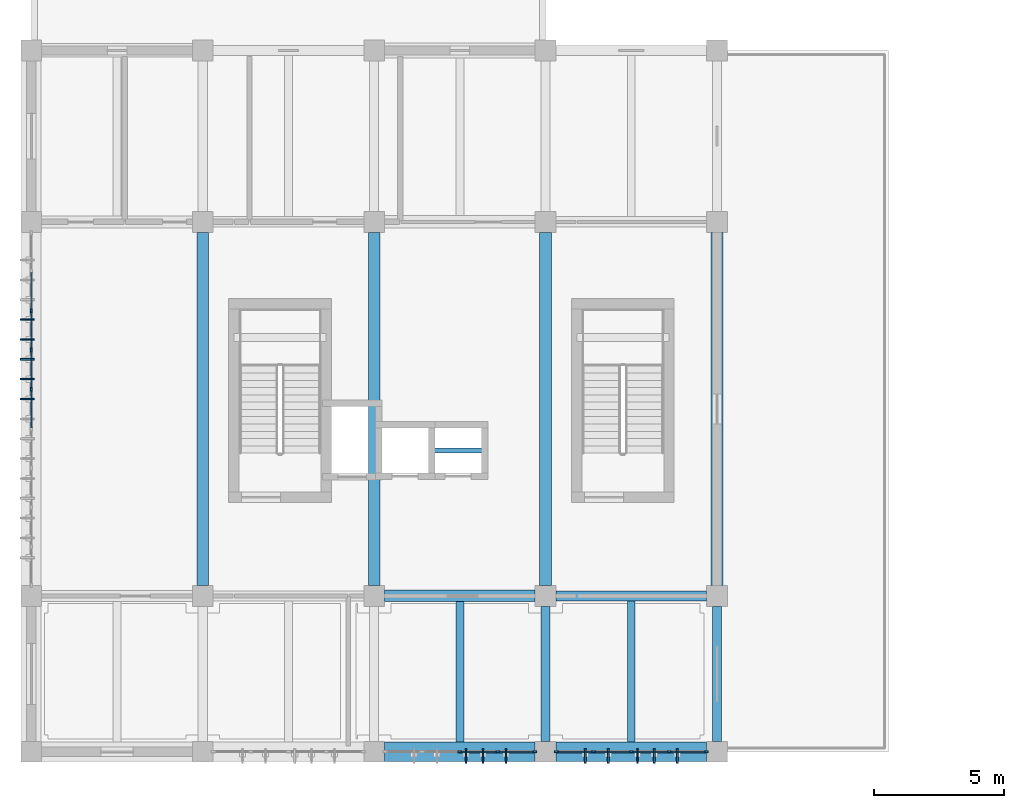
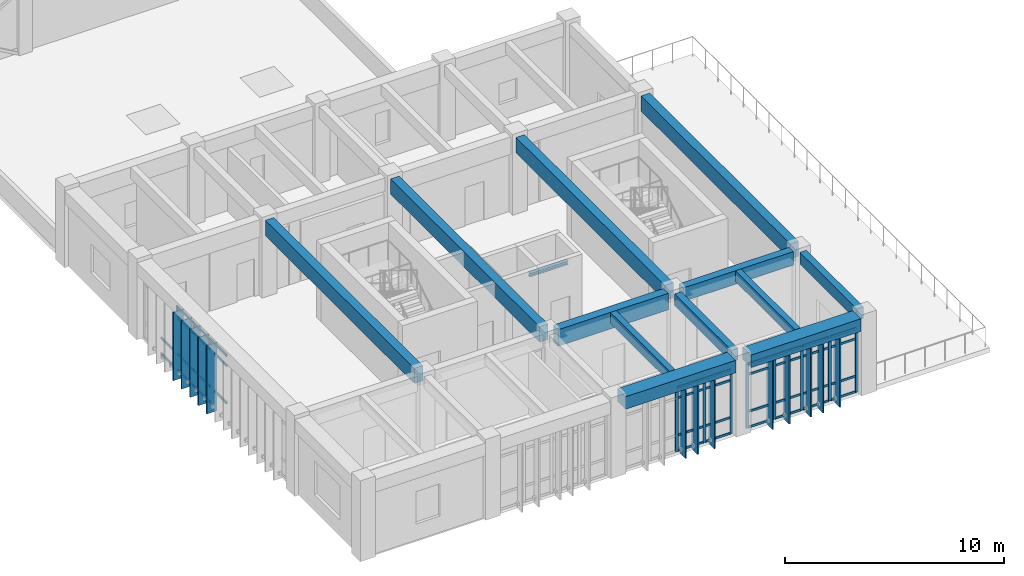
# One storey, part 3 of 18: 61 members, 13 beams, 3 elements without a shape of their own.
"""IFC4 building model written with IfcOpenShell, lengths in metres."""

from ifc_helpers import new_model, si_unit, direction, frame, origin, origin_2d, place, context, subcontext, project, spatial, rectangle, i_section, extrude, material, layer, layer_set, material_profile, profile_set, type_object, element, aggregate, save


model = new_model("IFC4")

# Units and contexts
model_context = context("Model", 3, precision=1e-05, world=origin(), true_north=direction((0.0, 1.0)))
body_context = subcontext(model_context, "Body", "Model", "MODEL_VIEW")
ifc_project = project(units=[si_unit("LENGTHUNIT", "METRE"), si_unit("AREAUNIT", "SQUARE_METRE"), si_unit("VOLUMEUNIT", "CUBIC_METRE"), si_unit("PLANEANGLEUNIT", "RADIAN"), si_unit("MASSUNIT", "GRAM", prefix="KILO")], contexts=[model_context])

# Site, building, storey
site_placement = place(None, origin())
site = spatial("IfcSite", under=ifc_project, at=site_placement, CompositionType="ELEMENT")
building_placement = place(site_placement, origin())
building = spatial("IfcBuilding", under=site, at=building_placement, Name="Miralva Faculty of Natural Sciences", CompositionType="ELEMENT")
storey_placement = place(building_placement, frame((0.0, 0.0, 28.5)))
storey = spatial("IfcBuildingStorey", under=building, at=storey_placement, Name="L06", CompositionType="ELEMENT", Elevation=28.5)

# Beams
ifc_material_1 = material(Name="Concrete C40/50", Category="concrete")
ifc_material_profile_1 = material_profile(ifc_material_1, rectangle(XDim=0.449951171875, YDim=0.85009765625, at=origin_2d()), Name="RC 450x850")
ifc_profile_set_1 = profile_set([ifc_material_profile_1], Name="Concrete C40/50")
beam_type_1 = type_object("IfcBeamType", Name="BM-B01", PredefinedType="BEAM", material=ifc_profile_set_1)
for number, where, z_axis, x_axis, name in (
    (1, (9.60009765625, 9.39990234375, 3.85498046875), (0.0, 1.0, 0.0), (-1.0, 0.0, 0.0), "Girder NS L06-32"),
    (2, (16.199951171875, 9.39990234375, 3.85498046875), (0.0, 1.0, 0.0), (-1.0, 0.0, 0.0), "Girder NS L06-38"),
    (3, (22.800048828125, 9.39990234375, 3.85498046875), (0.0, 1.0, 0.0), (-1.0, 0.0, 0.0), "Girder NS L06-41"),
    (4, (29.39990234375, 9.39990234375, 3.85498046875), (0.0, 1.0, 0.0), (-1.0, 0.0, 0.0), "Girder NS L06-47"),
):
    element("IfcBeam", number, at=place(storey_placement, frame(where, z_axis=z_axis, x_axis=x_axis)), inside=storey, type_object=beam_type_1, Name=name, PredefinedType="BEAM", context=body_context, shape_type="SweptSolid", body=[
        extrude(rectangle(XDim=0.449951171875, YDim=0.85009765625, at=origin_2d()), origin(), (0.0, 0.0, 1.0), 13.60009765625),
    ])
ifc_material_profile_2 = material_profile(ifc_material_1, rectangle(XDim=0.39990234375, YDim=0.75, at=origin_2d()), Name="RC 400x750")
ifc_profile_set_2 = profile_set([ifc_material_profile_2], Name="Concrete C40/50")
beam_type_2 = type_object("IfcBeamType", Name="BM-B03", PredefinedType="BEAM", material=ifc_profile_set_2)
beam_1_placement = place(storey_placement, frame((23.199951171875, 9.0, 3.905029296875), z_axis=(1.0, 0.0, 0.0), x_axis=(0.0, 1.0, 0.0)))
element("IfcBeam", 5, at=beam_1_placement, inside=storey, type_object=beam_type_2, Name="Girder EW L06-8", PredefinedType="BEAM", context=body_context, shape_type="SweptSolid", body=[
    extrude(rectangle(XDim=0.39990234375, YDim=0.75, at=origin_2d()), origin(), (0.0, 0.0, 1.0), 5.800048828125),
])
ifc_material_profile_3 = material_profile(ifc_material_1, rectangle(XDim=0.35009765625, YDim=0.64990234375, at=origin_2d()), Name="RC 350x650")
ifc_profile_set_3 = profile_set([ifc_material_profile_3], Name="Concrete C40/50")
beam_type_3 = type_object("IfcBeamType", Name="BM-B05", PredefinedType="BEAM", material=ifc_profile_set_3)
for number, where, z_axis, x_axis, name in (
    (6, (22.800048828125, 3.39990234375, 3.955078125), (0.0, 1.0, 0.0), (-1.0, 0.0, 0.0), "Girder NS L06-40"),
    (7, (29.39990234375, 3.39990234375, 3.955078125), (0.0, 1.0, 0.0), (-1.0, 0.0, 0.0), "Girder NS L06-46"),
):
    element("IfcBeam", number, at=place(storey_placement, frame(where, z_axis=z_axis, x_axis=x_axis)), inside=storey, type_object=beam_type_3, Name=name, PredefinedType="BEAM", context=body_context, shape_type="SweptSolid", body=[
        extrude(rectangle(XDim=0.35009765625, YDim=0.64990234375, at=origin_2d()), origin(), (0.0, 0.0, 1.0), 5.2001953125),
    ])
ifc_material_profile_4 = material_profile(ifc_material_1, rectangle(XDim=0.43994140625, YDim=0.919921875, at=origin_2d()), Name="RC 440x920")
ifc_profile_set_4 = profile_set([ifc_material_profile_4], Name="Concrete C40/50")
beam_type_4 = type_object("IfcBeamType", Name="BM-BG14", PredefinedType="BEAM", material=ifc_profile_set_4)
beam_2_placement = place(storey_placement, frame((16.60009765625, 9.0, 3.820068359375), z_axis=(1.0, 0.0, 0.0), x_axis=(0.0, 1.0, 0.0)))
element("IfcBeam", 8, at=beam_2_placement, inside=storey, type_object=beam_type_4, Name="Girder EW L06-7", PredefinedType="BEAM", context=body_context, shape_type="SweptSolid", body=[
    extrude(rectangle(XDim=0.43994140625, YDim=0.919921875, at=origin_2d()), origin(), (0.0, 0.0, 1.0), 5.7998046875),
])
ifc_material_profile_5 = material_profile(ifc_material_1, rectangle(XDim=0.300048828125, YDim=0.60009765625, at=origin_2d()), Name="RC 300x600")
ifc_profile_set_5 = profile_set([ifc_material_profile_5], Name="Concrete C40/50")
beam_type_5 = type_object("IfcBeamType", Name="BM-J01", PredefinedType="JOIST", material=ifc_profile_set_5)
beam_3_placement = place(storey_placement, frame((19.5, 3.375, 3.97998046875), z_axis=(0.0, 1.0, 0.0), x_axis=(-1.0, 0.0, 0.0)))
element("IfcBeam", 9, at=beam_3_placement, inside=storey, type_object=beam_type_5, Name="Floor joist L06-3", PredefinedType="JOIST", context=body_context, shape_type="SweptSolid", body=[
    extrude(rectangle(XDim=0.300048828125, YDim=0.60009765625, at=origin_2d()), origin(), (0.0, 0.0, 1.0), 5.405029296875),
])
beam_4_placement = place(storey_placement, frame((26.10009765625, 3.375, 3.97998046875), z_axis=(0.0, 1.0, 0.0), x_axis=(-1.0, 0.0, 0.0)))
element("IfcBeam", 10, at=beam_4_placement, inside=storey, type_object=beam_type_5, Name="Floor joist L06-4", PredefinedType="JOIST", context=body_context, shape_type="SweptSolid", body=[
    extrude(rectangle(XDim=0.300048828125, YDim=0.60009765625, at=origin_2d()), origin(), (0.0, 0.0, 1.0), 5.425048828125),
])
ifc_material_2 = material(Name="Steel S355", Category="steel")
ifc_material_profile_6 = material_profile(ifc_material_2, i_section(OverallWidth=0.202880859375, OverallDepth=0.202880859375, WebThickness=0.007080078125, FlangeThickness=0.010986328125, FilletRadius=0.010009765625, at=origin_2d()), Name="W200x46")
ifc_profile_set_6 = profile_set([ifc_material_profile_6], Name="Steel S355")
beam_type_6 = type_object("IfcBeamType", Name="BM-SB04", PredefinedType="BEAM", material=ifc_profile_set_6)
beam_5_placement = place(storey_placement, frame((18.409912109375, 14.60009765625, 3.199951171875), z_axis=(1.0, 0.0, 0.0), x_axis=(0.0, 1.0, 0.0)))
element("IfcBeam", 11, at=beam_5_placement, inside=storey, type_object=beam_type_6, Name="Lift L-03 hoistway separator steel beam", PredefinedType="BEAM", context=body_context, shape_type="SweptSolid", body=[
    extrude(i_section(OverallWidth=0.202880859375, OverallDepth=0.202880859375, WebThickness=0.007080078125, FlangeThickness=0.010986328125, FilletRadius=0.010009765625, at=origin_2d()), origin(), (0.0, 0.0, 1.0), 2.0400390625),
])
ifc_material_profile_7 = material_profile(ifc_material_1, rectangle(XDim=0.75, YDim=0.699951171875, at=origin_2d()), Name="RC 750x700")
ifc_profile_set_7 = profile_set([ifc_material_profile_7], Name="Concrete C40/50")
beam_type_7 = type_object("IfcBeamType", Name="BM-SP01", PredefinedType="SPANDREL", material=ifc_profile_set_7)
beam_6_placement = place(storey_placement, frame((16.60009765625, 3.0, 3.929931640625), z_axis=(1.0, 0.0, 0.0), x_axis=(0.0, 1.0, 0.0)))
element("IfcBeam", 12, at=beam_6_placement, inside=storey, type_object=beam_type_7, Name="Girder EW L06-3", PredefinedType="SPANDREL", context=body_context, shape_type="SweptSolid", body=[
    extrude(rectangle(XDim=0.75, YDim=0.699951171875, at=origin_2d()), origin(), (0.0, 0.0, 1.0), 5.7998046875),
])
beam_7_placement = place(storey_placement, frame((23.199951171875, 3.0, 3.929931640625), z_axis=(1.0, 0.0, 0.0), x_axis=(0.0, 1.0, 0.0)))
element("IfcBeam", 13, at=beam_7_placement, inside=storey, type_object=beam_type_7, Name="Girder EW L06-4", PredefinedType="SPANDREL", context=body_context, shape_type="SweptSolid", body=[
    extrude(rectangle(XDim=0.75, YDim=0.699951171875, at=origin_2d()), origin(), (0.0, 0.0, 1.0), 5.800048828125),
])

# Curtain wall, members
ifc_material_3 = material(Name="Laminated solar-control glass", Category="glass")
ifc_layer = layer(ifc_material_3, 0.179931640625, Name="CW-TWR-L03")
ifc_layer_set = layer_set([ifc_layer], Name="Laminated solar-control glass")
curtain_wall_type = type_object("IfcCurtainWallType", Name="CW-TWR-L03", PredefinedType="USERDEFINED", material=ifc_layer_set)
curtain_wall_1_placement = place(storey_placement, origin())
curtain_wall_1 = element("IfcCurtainWall", 14, at=curtain_wall_1_placement, inside=storey, type_object=curtain_wall_type, Name="Curtain wall CW-14 L06-240", ObjectType="UNITISED CURTAIN WALL", PredefinedType="USERDEFINED")
ifc_material_4 = material(Name="Anodised aluminium", Category="aluminium")
ifc_material_profile_8 = material_profile(ifc_material_4, rectangle(XDim=0.06494140625, YDim=0.159912109375, at=origin_2d()), Name="MULLION 65x160")
ifc_profile_set_8 = profile_set([ifc_material_profile_8], Name="Anodised aluminium")
member_type_1 = type_object("IfcMemberType", Name="CW-M02", PredefinedType="MULLION", material=ifc_profile_set_8)
member_1_placement = place(storey_placement, frame((19.5, 3.0, 0.0), z_axis=(0.0, 0.0, 1.0), x_axis=(0.0, 1.0, 0.0)))
member_1 = element("IfcMember", 15, at=member_1_placement, type_object=member_type_1, Name="CW-14 mullion 3", PredefinedType="MULLION", context=body_context, shape_type="SweptSolid", body=[
    extrude(rectangle(XDim=0.06494140625, YDim=0.159912109375, at=origin_2d()), origin(), (0.0, 0.0, 1.0), 3.574951171875),
])
member_2_placement = place(storey_placement, frame((20.95751953125, 3.0, 0.0), z_axis=(0.0, 0.0, 1.0), x_axis=(0.0, 1.0, 0.0)))
member_2 = element("IfcMember", 16, at=member_2_placement, type_object=member_type_1, Name="CW-14 mullion 4", PredefinedType="MULLION", context=body_context, shape_type="SweptSolid", body=[
    extrude(rectangle(XDim=0.06494140625, YDim=0.159912109375, at=origin_2d()), origin(), (0.0, 0.0, 1.0), 3.574951171875),
])
member_3_placement = place(storey_placement, frame((22.382568359375, 3.0, 0.0), z_axis=(0.0, 0.0, 1.0), x_axis=(0.0, 1.0, 0.0)))
member_3 = element("IfcMember", 17, at=member_3_placement, type_object=member_type_1, Name="CW-14 mullion 5", PredefinedType="MULLION", context=body_context, shape_type="SweptSolid", body=[
    extrude(rectangle(XDim=0.06494140625, YDim=0.159912109375, at=origin_2d()), origin(), (0.0, 0.0, 1.0), 3.574951171875),
])

curtain_wall_2_placement = place(storey_placement, origin())
curtain_wall_2 = element("IfcCurtainWall", 18, at=curtain_wall_2_placement, inside=storey, type_object=curtain_wall_type, Name="Curtain wall CW-14 L06-241", ObjectType="UNITISED CURTAIN WALL", PredefinedType="USERDEFINED")
member_4_placement = place(storey_placement, frame((23.217529296875, 3.0, 0.0), z_axis=(0.0, 0.0, 1.0), x_axis=(0.0, 1.0, 0.0)))
member_4 = element("IfcMember", 19, at=member_4_placement, type_object=member_type_1, Name="CW-14 mullion 1", PredefinedType="MULLION", context=body_context, shape_type="SweptSolid", body=[
    extrude(rectangle(XDim=0.06494140625, YDim=0.159912109375, at=origin_2d()), origin(), (0.0, 0.0, 1.0), 3.574951171875),
])
member_5_placement = place(storey_placement, frame((24.642578125, 3.0, 0.0), z_axis=(0.0, 0.0, 1.0), x_axis=(0.0, 1.0, 0.0)))
member_5 = element("IfcMember", 20, at=member_5_placement, type_object=member_type_1, Name="CW-14 mullion 2", PredefinedType="MULLION", context=body_context, shape_type="SweptSolid", body=[
    extrude(rectangle(XDim=0.06494140625, YDim=0.159912109375, at=origin_2d()), origin(), (0.0, 0.0, 1.0), 3.574951171875),
])
member_6_placement = place(storey_placement, frame((26.10009765625, 3.0, 0.0), z_axis=(0.0, 0.0, 1.0), x_axis=(0.0, 1.0, 0.0)))
member_6 = element("IfcMember", 21, at=member_6_placement, type_object=member_type_1, Name="CW-14 mullion 3", PredefinedType="MULLION", context=body_context, shape_type="SweptSolid", body=[
    extrude(rectangle(XDim=0.06494140625, YDim=0.159912109375, at=origin_2d()), origin(), (0.0, 0.0, 1.0), 3.574951171875),
])
member_7_placement = place(storey_placement, frame((27.5576171875, 3.0, 0.0), z_axis=(0.0, 0.0, 1.0), x_axis=(0.0, 1.0, 0.0)))
member_7 = element("IfcMember", 22, at=member_7_placement, type_object=member_type_1, Name="CW-14 mullion 4", PredefinedType="MULLION", context=body_context, shape_type="SweptSolid", body=[
    extrude(rectangle(XDim=0.06494140625, YDim=0.159912109375, at=origin_2d()), origin(), (0.0, 0.0, 1.0), 3.574951171875),
])
member_8_placement = place(storey_placement, frame((28.982421875, 3.0, 0.0), z_axis=(0.0, 0.0, 1.0), x_axis=(0.0, 1.0, 0.0)))
member_8 = element("IfcMember", 23, at=member_8_placement, type_object=member_type_1, Name="CW-14 mullion 5", PredefinedType="MULLION", context=body_context, shape_type="SweptSolid", body=[
    extrude(rectangle(XDim=0.06494140625, YDim=0.159912109375, at=origin_2d()), origin(), (0.0, 0.0, 1.0), 3.574951171875),
])

curtain_wall_3_placement = place(storey_placement, origin())
curtain_wall_3 = element("IfcCurtainWall", 24, at=curtain_wall_3_placement, inside=storey, type_object=curtain_wall_type, Name="Curtain wall CW-14 L06-242", ObjectType="UNITISED CURTAIN WALL", PredefinedType="USERDEFINED")
member_9_placement = place(storey_placement, frame((3.0, 16.957275390625, 0.0), z_axis=(0.0, 0.0, 1.0), x_axis=(-1.0, 0.0, 0.0)))
member_9 = element("IfcMember", 25, at=member_9_placement, type_object=member_type_1, Name="CW-14 mullion 6", PredefinedType="MULLION", context=body_context, shape_type="SweptSolid", body=[
    extrude(rectangle(XDim=0.06494140625, YDim=0.159912109375, at=origin_2d()), origin(), (0.0, 0.0, 1.0), 3.574951171875),
])
member_10_placement = place(storey_placement, frame((3.0, 18.4716796875, 0.0), z_axis=(0.0, 0.0, 1.0), x_axis=(-1.0, 0.0, 0.0)))
member_10 = element("IfcMember", 26, at=member_10_placement, type_object=member_type_1, Name="CW-14 mullion 7", PredefinedType="MULLION", context=body_context, shape_type="SweptSolid", body=[
    extrude(rectangle(XDim=0.06494140625, YDim=0.159912109375, at=origin_2d()), origin(), (0.0, 0.0, 1.0), 3.574951171875),
])
member_11_placement = place(storey_placement, frame((3.0, 19.986083984375, 0.0), z_axis=(0.0, 0.0, 1.0), x_axis=(-1.0, 0.0, 0.0)))
member_11 = element("IfcMember", 27, at=member_11_placement, type_object=member_type_1, Name="CW-14 mullion 8", PredefinedType="MULLION", context=body_context, shape_type="SweptSolid", body=[
    extrude(rectangle(XDim=0.06494140625, YDim=0.159912109375, at=origin_2d()), origin(), (0.0, 0.0, 1.0), 3.574951171875),
])

# Member
ifc_material_profile_9 = material_profile(ifc_material_4, rectangle(XDim=0.06005859375, YDim=0.1201171875, at=origin_2d()), Name="TRANSOM 60x120")
ifc_profile_set_9 = profile_set([ifc_material_profile_9], Name="Anodised aluminium")
member_type_2 = type_object("IfcMemberType", Name="CW-T02", PredefinedType="USERDEFINED", material=ifc_profile_set_9)
member_12_placement = place(storey_placement, frame((19.532470703125, 3.0, 0.030029296875), z_axis=(1.0, 0.0, 0.0), x_axis=(0.0, 1.0, 0.0)))
member_12 = element("IfcMember", 28, at=member_12_placement, type_object=member_type_2, Name="CW-14 transom 3.1", ObjectType="TRANSOM", PredefinedType="USERDEFINED", context=body_context, shape_type="SweptSolid", body=[
    extrude(rectangle(XDim=0.06005859375, YDim=0.1201171875, at=origin_2d()), origin(), (0.0, 0.0, 1.0), 1.392578125),
])

member_13_placement = place(storey_placement, frame((19.532470703125, 3.0, 0.89990234375), z_axis=(1.0, 0.0, 0.0), x_axis=(0.0, 1.0, 0.0)))
member_13 = element("IfcMember", 29, at=member_13_placement, type_object=member_type_2, Name="CW-14 transom 3.2", ObjectType="TRANSOM", PredefinedType="USERDEFINED", context=body_context, shape_type="SweptSolid", body=[
    extrude(rectangle(XDim=0.06005859375, YDim=0.1201171875, at=origin_2d()), origin(), (0.0, 0.0, 1.0), 1.392578125),
])

member_14_placement = place(storey_placement, frame((19.532470703125, 3.0, 2.97509765625), z_axis=(1.0, 0.0, 0.0), x_axis=(0.0, 1.0, 0.0)))
member_14 = element("IfcMember", 30, at=member_14_placement, type_object=member_type_2, Name="CW-14 transom 3.3", ObjectType="TRANSOM", PredefinedType="USERDEFINED", context=body_context, shape_type="SweptSolid", body=[
    extrude(rectangle(XDim=0.06005859375, YDim=0.1201171875, at=origin_2d()), origin(), (0.0, 0.0, 1.0), 1.392578125),
])

member_15_placement = place(storey_placement, frame((19.532470703125, 3.0, 3.544921875), z_axis=(1.0, 0.0, 0.0), x_axis=(0.0, 1.0, 0.0)))
member_15 = element("IfcMember", 31, at=member_15_placement, type_object=member_type_2, Name="CW-14 transom 3.4", ObjectType="TRANSOM", PredefinedType="USERDEFINED", context=body_context, shape_type="SweptSolid", body=[
    extrude(rectangle(XDim=0.06005859375, YDim=0.1201171875, at=origin_2d()), origin(), (0.0, 0.0, 1.0), 1.392578125),
])

member_16_placement = place(storey_placement, frame((20.989990234375, 3.0, 0.030029296875), z_axis=(1.0, 0.0, 0.0), x_axis=(0.0, 1.0, 0.0)))
member_16 = element("IfcMember", 32, at=member_16_placement, type_object=member_type_2, Name="CW-14 transom 4.1", ObjectType="TRANSOM", PredefinedType="USERDEFINED", context=body_context, shape_type="SweptSolid", body=[
    extrude(rectangle(XDim=0.06005859375, YDim=0.1201171875, at=origin_2d()), origin(), (0.0, 0.0, 1.0), 1.360107421875),
])

member_17_placement = place(storey_placement, frame((20.989990234375, 3.0, 0.89990234375), z_axis=(1.0, 0.0, 0.0), x_axis=(0.0, 1.0, 0.0)))
member_17 = element("IfcMember", 33, at=member_17_placement, type_object=member_type_2, Name="CW-14 transom 4.2", ObjectType="TRANSOM", PredefinedType="USERDEFINED", context=body_context, shape_type="SweptSolid", body=[
    extrude(rectangle(XDim=0.06005859375, YDim=0.1201171875, at=origin_2d()), origin(), (0.0, 0.0, 1.0), 1.360107421875),
])

member_18_placement = place(storey_placement, frame((20.989990234375, 3.0, 2.97509765625), z_axis=(1.0, 0.0, 0.0), x_axis=(0.0, 1.0, 0.0)))
member_18 = element("IfcMember", 34, at=member_18_placement, type_object=member_type_2, Name="CW-14 transom 4.3", ObjectType="TRANSOM", PredefinedType="USERDEFINED", context=body_context, shape_type="SweptSolid", body=[
    extrude(rectangle(XDim=0.06005859375, YDim=0.1201171875, at=origin_2d()), origin(), (0.0, 0.0, 1.0), 1.360107421875),
])

member_19_placement = place(storey_placement, frame((20.989990234375, 3.0, 3.544921875), z_axis=(1.0, 0.0, 0.0), x_axis=(0.0, 1.0, 0.0)))
member_19 = element("IfcMember", 35, at=member_19_placement, type_object=member_type_2, Name="CW-14 transom 4.4", ObjectType="TRANSOM", PredefinedType="USERDEFINED", context=body_context, shape_type="SweptSolid", body=[
    extrude(rectangle(XDim=0.06005859375, YDim=0.1201171875, at=origin_2d()), origin(), (0.0, 0.0, 1.0), 1.360107421875),
])

aggregate(curtain_wall_1, [member_1, member_2, member_3, member_12, member_13, member_14, member_15, member_16, member_17, member_18, member_19])

member_20_placement = place(storey_placement, frame((23.25, 3.0, 0.030029296875), z_axis=(1.0, 0.0, 0.0), x_axis=(0.0, 1.0, 0.0)))
member_20 = element("IfcMember", 36, at=member_20_placement, type_object=member_type_2, Name="CW-14 transom 1.1", ObjectType="TRANSOM", PredefinedType="USERDEFINED", context=body_context, shape_type="SweptSolid", body=[
    extrude(rectangle(XDim=0.06005859375, YDim=0.1201171875, at=origin_2d()), origin(), (0.0, 0.0, 1.0), 1.360107421875),
])

member_21_placement = place(storey_placement, frame((23.25, 3.0, 0.89990234375), z_axis=(1.0, 0.0, 0.0), x_axis=(0.0, 1.0, 0.0)))
member_21 = element("IfcMember", 37, at=member_21_placement, type_object=member_type_2, Name="CW-14 transom 1.2", ObjectType="TRANSOM", PredefinedType="USERDEFINED", context=body_context, shape_type="SweptSolid", body=[
    extrude(rectangle(XDim=0.06005859375, YDim=0.1201171875, at=origin_2d()), origin(), (0.0, 0.0, 1.0), 1.360107421875),
])

member_22_placement = place(storey_placement, frame((23.25, 3.0, 2.97509765625), z_axis=(1.0, 0.0, 0.0), x_axis=(0.0, 1.0, 0.0)))
member_22 = element("IfcMember", 38, at=member_22_placement, type_object=member_type_2, Name="CW-14 transom 1.3", ObjectType="TRANSOM", PredefinedType="USERDEFINED", context=body_context, shape_type="SweptSolid", body=[
    extrude(rectangle(XDim=0.06005859375, YDim=0.1201171875, at=origin_2d()), origin(), (0.0, 0.0, 1.0), 1.360107421875),
])

member_23_placement = place(storey_placement, frame((23.25, 3.0, 3.544921875), z_axis=(1.0, 0.0, 0.0), x_axis=(0.0, 1.0, 0.0)))
member_23 = element("IfcMember", 39, at=member_23_placement, type_object=member_type_2, Name="CW-14 transom 1.4", ObjectType="TRANSOM", PredefinedType="USERDEFINED", context=body_context, shape_type="SweptSolid", body=[
    extrude(rectangle(XDim=0.06005859375, YDim=0.1201171875, at=origin_2d()), origin(), (0.0, 0.0, 1.0), 1.360107421875),
])

member_24_placement = place(storey_placement, frame((24.675048828125, 3.0, 0.030029296875), z_axis=(1.0, 0.0, 0.0), x_axis=(0.0, 1.0, 0.0)))
member_24 = element("IfcMember", 40, at=member_24_placement, type_object=member_type_2, Name="CW-14 transom 2.1", ObjectType="TRANSOM", PredefinedType="USERDEFINED", context=body_context, shape_type="SweptSolid", body=[
    extrude(rectangle(XDim=0.06005859375, YDim=0.1201171875, at=origin_2d()), origin(), (0.0, 0.0, 1.0), 1.392333984375),
])

member_25_placement = place(storey_placement, frame((24.675048828125, 3.0, 0.89990234375), z_axis=(1.0, 0.0, 0.0), x_axis=(0.0, 1.0, 0.0)))
member_25 = element("IfcMember", 41, at=member_25_placement, type_object=member_type_2, Name="CW-14 transom 2.2", ObjectType="TRANSOM", PredefinedType="USERDEFINED", context=body_context, shape_type="SweptSolid", body=[
    extrude(rectangle(XDim=0.06005859375, YDim=0.1201171875, at=origin_2d()), origin(), (0.0, 0.0, 1.0), 1.392333984375),
])

member_26_placement = place(storey_placement, frame((24.675048828125, 3.0, 2.97509765625), z_axis=(1.0, 0.0, 0.0), x_axis=(0.0, 1.0, 0.0)))
member_26 = element("IfcMember", 42, at=member_26_placement, type_object=member_type_2, Name="CW-14 transom 2.3", ObjectType="TRANSOM", PredefinedType="USERDEFINED", context=body_context, shape_type="SweptSolid", body=[
    extrude(rectangle(XDim=0.06005859375, YDim=0.1201171875, at=origin_2d()), origin(), (0.0, 0.0, 1.0), 1.392333984375),
])

member_27_placement = place(storey_placement, frame((24.675048828125, 3.0, 3.544921875), z_axis=(1.0, 0.0, 0.0), x_axis=(0.0, 1.0, 0.0)))
member_27 = element("IfcMember", 43, at=member_27_placement, type_object=member_type_2, Name="CW-14 transom 2.4", ObjectType="TRANSOM", PredefinedType="USERDEFINED", context=body_context, shape_type="SweptSolid", body=[
    extrude(rectangle(XDim=0.06005859375, YDim=0.1201171875, at=origin_2d()), origin(), (0.0, 0.0, 1.0), 1.392333984375),
])

member_28_placement = place(storey_placement, frame((26.132568359375, 3.0, 0.030029296875), z_axis=(1.0, 0.0, 0.0), x_axis=(0.0, 1.0, 0.0)))
member_28 = element("IfcMember", 44, at=member_28_placement, type_object=member_type_2, Name="CW-14 transom 3.1", ObjectType="TRANSOM", PredefinedType="USERDEFINED", context=body_context, shape_type="SweptSolid", body=[
    extrude(rectangle(XDim=0.06005859375, YDim=0.1201171875, at=origin_2d()), origin(), (0.0, 0.0, 1.0), 1.392333984375),
])

member_29_placement = place(storey_placement, frame((26.132568359375, 3.0, 0.89990234375), z_axis=(1.0, 0.0, 0.0), x_axis=(0.0, 1.0, 0.0)))
member_29 = element("IfcMember", 45, at=member_29_placement, type_object=member_type_2, Name="CW-14 transom 3.2", ObjectType="TRANSOM", PredefinedType="USERDEFINED", context=body_context, shape_type="SweptSolid", body=[
    extrude(rectangle(XDim=0.06005859375, YDim=0.1201171875, at=origin_2d()), origin(), (0.0, 0.0, 1.0), 1.392333984375),
])

member_30_placement = place(storey_placement, frame((26.132568359375, 3.0, 2.97509765625), z_axis=(1.0, 0.0, 0.0), x_axis=(0.0, 1.0, 0.0)))
member_30 = element("IfcMember", 46, at=member_30_placement, type_object=member_type_2, Name="CW-14 transom 3.3", ObjectType="TRANSOM", PredefinedType="USERDEFINED", context=body_context, shape_type="SweptSolid", body=[
    extrude(rectangle(XDim=0.06005859375, YDim=0.1201171875, at=origin_2d()), origin(), (0.0, 0.0, 1.0), 1.392333984375),
])

member_31_placement = place(storey_placement, frame((26.132568359375, 3.0, 3.544921875), z_axis=(1.0, 0.0, 0.0), x_axis=(0.0, 1.0, 0.0)))
member_31 = element("IfcMember", 47, at=member_31_placement, type_object=member_type_2, Name="CW-14 transom 3.4", ObjectType="TRANSOM", PredefinedType="USERDEFINED", context=body_context, shape_type="SweptSolid", body=[
    extrude(rectangle(XDim=0.06005859375, YDim=0.1201171875, at=origin_2d()), origin(), (0.0, 0.0, 1.0), 1.392333984375),
])

member_32_placement = place(storey_placement, frame((27.590087890625, 3.0, 0.030029296875), z_axis=(1.0, 0.0, 0.0), x_axis=(0.0, 1.0, 0.0)))
member_32 = element("IfcMember", 48, at=member_32_placement, type_object=member_type_2, Name="CW-14 transom 4.1", ObjectType="TRANSOM", PredefinedType="USERDEFINED", context=body_context, shape_type="SweptSolid", body=[
    extrude(rectangle(XDim=0.06005859375, YDim=0.1201171875, at=origin_2d()), origin(), (0.0, 0.0, 1.0), 1.35986328125),
])

member_33_placement = place(storey_placement, frame((27.590087890625, 3.0, 0.89990234375), z_axis=(1.0, 0.0, 0.0), x_axis=(0.0, 1.0, 0.0)))
member_33 = element("IfcMember", 49, at=member_33_placement, type_object=member_type_2, Name="CW-14 transom 4.2", ObjectType="TRANSOM", PredefinedType="USERDEFINED", context=body_context, shape_type="SweptSolid", body=[
    extrude(rectangle(XDim=0.06005859375, YDim=0.1201171875, at=origin_2d()), origin(), (0.0, 0.0, 1.0), 1.35986328125),
])

member_34_placement = place(storey_placement, frame((27.590087890625, 3.0, 2.97509765625), z_axis=(1.0, 0.0, 0.0), x_axis=(0.0, 1.0, 0.0)))
member_34 = element("IfcMember", 50, at=member_34_placement, type_object=member_type_2, Name="CW-14 transom 4.3", ObjectType="TRANSOM", PredefinedType="USERDEFINED", context=body_context, shape_type="SweptSolid", body=[
    extrude(rectangle(XDim=0.06005859375, YDim=0.1201171875, at=origin_2d()), origin(), (0.0, 0.0, 1.0), 1.35986328125),
])

member_35_placement = place(storey_placement, frame((27.590087890625, 3.0, 3.544921875), z_axis=(1.0, 0.0, 0.0), x_axis=(0.0, 1.0, 0.0)))
member_35 = element("IfcMember", 51, at=member_35_placement, type_object=member_type_2, Name="CW-14 transom 4.4", ObjectType="TRANSOM", PredefinedType="USERDEFINED", context=body_context, shape_type="SweptSolid", body=[
    extrude(rectangle(XDim=0.06005859375, YDim=0.1201171875, at=origin_2d()), origin(), (0.0, 0.0, 1.0), 1.35986328125),
])

aggregate(curtain_wall_2, [member_4, member_5, member_6, member_7, member_8, member_20, member_21, member_22, member_23, member_24, member_25, member_26, member_27, member_28, member_29, member_30, member_31, member_32, member_33, member_34, member_35])

member_36_placement = place(storey_placement, frame((3.0, 15.475341796875, 0.89990234375), z_axis=(0.0, 1.0, 0.0), x_axis=(-1.0, 0.0, 0.0)))
member_36 = element("IfcMember", 52, at=member_36_placement, type_object=member_type_2, Name="CW-14 transom 5.2", ObjectType="TRANSOM", PredefinedType="USERDEFINED", context=body_context, shape_type="SweptSolid", body=[
    extrude(rectangle(XDim=0.06005859375, YDim=0.1201171875, at=origin_2d()), origin(), (0.0, 0.0, 1.0), 1.449462890625),
])

member_37_placement = place(storey_placement, frame((3.0, 15.475341796875, 2.97509765625), z_axis=(0.0, 1.0, 0.0), x_axis=(-1.0, 0.0, 0.0)))
member_37 = element("IfcMember", 53, at=member_37_placement, type_object=member_type_2, Name="CW-14 transom 5.3", ObjectType="TRANSOM", PredefinedType="USERDEFINED", context=body_context, shape_type="SweptSolid", body=[
    extrude(rectangle(XDim=0.06005859375, YDim=0.1201171875, at=origin_2d()), origin(), (0.0, 0.0, 1.0), 1.449462890625),
])

member_38_placement = place(storey_placement, frame((3.0, 15.475341796875, 3.544921875), z_axis=(0.0, 1.0, 0.0), x_axis=(-1.0, 0.0, 0.0)))
member_38 = element("IfcMember", 54, at=member_38_placement, type_object=member_type_2, Name="CW-14 transom 5.4", ObjectType="TRANSOM", PredefinedType="USERDEFINED", context=body_context, shape_type="SweptSolid", body=[
    extrude(rectangle(XDim=0.06005859375, YDim=0.1201171875, at=origin_2d()), origin(), (0.0, 0.0, 1.0), 1.449462890625),
])

member_39_placement = place(storey_placement, frame((3.0, 16.98974609375, 0.030029296875), z_axis=(0.0, 1.0, 0.0), x_axis=(-1.0, 0.0, 0.0)))
member_39 = element("IfcMember", 55, at=member_39_placement, type_object=member_type_2, Name="CW-14 transom 6.1", ObjectType="TRANSOM", PredefinedType="USERDEFINED", context=body_context, shape_type="SweptSolid", body=[
    extrude(rectangle(XDim=0.06005859375, YDim=0.1201171875, at=origin_2d()), origin(), (0.0, 0.0, 1.0), 1.449462890625),
])

member_40_placement = place(storey_placement, frame((3.0, 16.98974609375, 0.89990234375), z_axis=(0.0, 1.0, 0.0), x_axis=(-1.0, 0.0, 0.0)))
member_40 = element("IfcMember", 56, at=member_40_placement, type_object=member_type_2, Name="CW-14 transom 6.2", ObjectType="TRANSOM", PredefinedType="USERDEFINED", context=body_context, shape_type="SweptSolid", body=[
    extrude(rectangle(XDim=0.06005859375, YDim=0.1201171875, at=origin_2d()), origin(), (0.0, 0.0, 1.0), 1.449462890625),
])

member_41_placement = place(storey_placement, frame((3.0, 16.98974609375, 2.97509765625), z_axis=(0.0, 1.0, 0.0), x_axis=(-1.0, 0.0, 0.0)))
member_41 = element("IfcMember", 57, at=member_41_placement, type_object=member_type_2, Name="CW-14 transom 6.3", ObjectType="TRANSOM", PredefinedType="USERDEFINED", context=body_context, shape_type="SweptSolid", body=[
    extrude(rectangle(XDim=0.06005859375, YDim=0.1201171875, at=origin_2d()), origin(), (0.0, 0.0, 1.0), 1.449462890625),
])

member_42_placement = place(storey_placement, frame((3.0, 16.98974609375, 3.544921875), z_axis=(0.0, 1.0, 0.0), x_axis=(-1.0, 0.0, 0.0)))
member_42 = element("IfcMember", 58, at=member_42_placement, type_object=member_type_2, Name="CW-14 transom 6.4", ObjectType="TRANSOM", PredefinedType="USERDEFINED", context=body_context, shape_type="SweptSolid", body=[
    extrude(rectangle(XDim=0.06005859375, YDim=0.1201171875, at=origin_2d()), origin(), (0.0, 0.0, 1.0), 1.449462890625),
])

member_43_placement = place(storey_placement, frame((3.0, 18.504150390625, 0.030029296875), z_axis=(0.0, 1.0, 0.0), x_axis=(-1.0, 0.0, 0.0)))
member_43 = element("IfcMember", 59, at=member_43_placement, type_object=member_type_2, Name="CW-14 transom 7.1", ObjectType="TRANSOM", PredefinedType="USERDEFINED", context=body_context, shape_type="SweptSolid", body=[
    extrude(rectangle(XDim=0.06005859375, YDim=0.1201171875, at=origin_2d()), origin(), (0.0, 0.0, 1.0), 1.449462890625),
])

member_44_placement = place(storey_placement, frame((3.0, 18.504150390625, 0.89990234375), z_axis=(0.0, 1.0, 0.0), x_axis=(-1.0, 0.0, 0.0)))
member_44 = element("IfcMember", 60, at=member_44_placement, type_object=member_type_2, Name="CW-14 transom 7.2", ObjectType="TRANSOM", PredefinedType="USERDEFINED", context=body_context, shape_type="SweptSolid", body=[
    extrude(rectangle(XDim=0.06005859375, YDim=0.1201171875, at=origin_2d()), origin(), (0.0, 0.0, 1.0), 1.449462890625),
])

member_45_placement = place(storey_placement, frame((3.0, 18.504150390625, 2.97509765625), z_axis=(0.0, 1.0, 0.0), x_axis=(-1.0, 0.0, 0.0)))
member_45 = element("IfcMember", 61, at=member_45_placement, type_object=member_type_2, Name="CW-14 transom 7.3", ObjectType="TRANSOM", PredefinedType="USERDEFINED", context=body_context, shape_type="SweptSolid", body=[
    extrude(rectangle(XDim=0.06005859375, YDim=0.1201171875, at=origin_2d()), origin(), (0.0, 0.0, 1.0), 1.449462890625),
])

member_46_placement = place(storey_placement, frame((3.0, 18.504150390625, 3.544921875), z_axis=(0.0, 1.0, 0.0), x_axis=(-1.0, 0.0, 0.0)))
member_46 = element("IfcMember", 62, at=member_46_placement, type_object=member_type_2, Name="CW-14 transom 7.4", ObjectType="TRANSOM", PredefinedType="USERDEFINED", context=body_context, shape_type="SweptSolid", body=[
    extrude(rectangle(XDim=0.06005859375, YDim=0.1201171875, at=origin_2d()), origin(), (0.0, 0.0, 1.0), 1.449462890625),
])

member_47_placement = place(storey_placement, frame((3.0, 20.0185546875, 0.030029296875), z_axis=(0.0, 1.0, 0.0), x_axis=(-1.0, 0.0, 0.0)))
member_47 = element("IfcMember", 63, at=member_47_placement, type_object=member_type_2, Name="CW-14 transom 8.1", ObjectType="TRANSOM", PredefinedType="USERDEFINED", context=body_context, shape_type="SweptSolid", body=[
    extrude(rectangle(XDim=0.06005859375, YDim=0.1201171875, at=origin_2d()), origin(), (0.0, 0.0, 1.0), 1.449462890625),
])

member_48_placement = place(storey_placement, frame((3.0, 20.0185546875, 0.89990234375), z_axis=(0.0, 1.0, 0.0), x_axis=(-1.0, 0.0, 0.0)))
member_48 = element("IfcMember", 64, at=member_48_placement, type_object=member_type_2, Name="CW-14 transom 8.2", ObjectType="TRANSOM", PredefinedType="USERDEFINED", context=body_context, shape_type="SweptSolid", body=[
    extrude(rectangle(XDim=0.06005859375, YDim=0.1201171875, at=origin_2d()), origin(), (0.0, 0.0, 1.0), 1.449462890625),
])

aggregate(curtain_wall_3, [member_9, member_10, member_11, member_36, member_37, member_38, member_39, member_40, member_41, member_42, member_43, member_44, member_45, member_46, member_47, member_48])

# Members
ifc_material_profile_10 = material_profile(ifc_material_4, rectangle(XDim=0.06494140625, YDim=0.550048828125, at=origin_2d()), Name="FIN 550x65")
ifc_profile_set_10 = profile_set([ifc_material_profile_10], Name="Anodised aluminium")
member_type_3 = type_object("IfcMemberType", Name="MEM-SF03", PredefinedType="USERDEFINED", material=ifc_profile_set_10)
for number, where, z_axis, x_axis, name in (
    (65, (19.739990234375, 2.840087890625, -0.219970703125), (0.0, 0.0, 1.0), (1.0, 0.0, 0.0), "Solar shading fin SF-03 L06-376"),
    (66, (20.385986328125, 2.840087890625, -0.219970703125), (0.0, 0.0, 1.0), (1.0, 0.0, 0.0), "Solar shading fin SF-03 L06-377"),
    (67, (21.27197265625, 2.840087890625, -0.219970703125), (0.0, 0.0, 1.0), (1.0, 0.0, 0.0), "Solar shading fin SF-03 L06-378"),
    (68, (24.327880859375, 2.840087890625, -0.219970703125), (0.0, 0.0, 1.0), (1.0, 0.0, 0.0), "Solar shading fin SF-03 L06-379"),
    (69, (25.214111328125, 2.840087890625, -0.219970703125), (0.0, 0.0, 1.0), (1.0, 0.0, 0.0), "Solar shading fin SF-03 L06-380"),
    (70, (26.340087890625, 2.840087890625, -0.219970703125), (0.0, 0.0, 1.0), (1.0, 0.0, 0.0), "Solar shading fin SF-03 L06-381"),
    (71, (26.986083984375, 2.840087890625, -0.219970703125), (0.0, 0.0, 1.0), (1.0, 0.0, 0.0), "Solar shading fin SF-03 L06-382"),
    (72, (27.8720703125, 2.840087890625, -0.219970703125), (0.0, 0.0, 1.0), (1.0, 0.0, 0.0), "Solar shading fin SF-03 L06-383"),
    (73, (2.840087890625, 16.582275390625, -0.219970703125), (0.0, 0.0, 1.0), (0.0, -1.0, 0.0), "Solar shading fin SF-03 L06-392"),
    (74, (2.840087890625, 17.3466796875, -0.219970703125), (0.0, 0.0, 1.0), (0.0, -1.0, 0.0), "Solar shading fin SF-03 L06-393"),
    (75, (2.840087890625, 18.11083984375, -0.219970703125), (0.0, 0.0, 1.0), (0.0, -1.0, 0.0), "Solar shading fin SF-03 L06-394"),
    (76, (2.840087890625, 18.875244140625, -0.219970703125), (0.0, 0.0, 1.0), (0.0, -1.0, 0.0), "Solar shading fin SF-03 L06-395"),
    (77, (2.840087890625, 19.6396484375, -0.219970703125), (0.0, 0.0, 1.0), (0.0, -1.0, 0.0), "Solar shading fin SF-03 L06-396"),
):
    element("IfcMember", number, at=place(storey_placement, frame(where, z_axis=z_axis, x_axis=x_axis)), inside=storey, type_object=member_type_3, Name=name, ObjectType="SUNSHADE", PredefinedType="USERDEFINED", context=body_context, shape_type="SweptSolid", body=[
        extrude(rectangle(XDim=0.06494140625, YDim=0.550048828125, at=origin_2d()), origin(), (0.0, 0.0, 1.0), 3.794921875),
    ])

save(model, "model.ifc")
